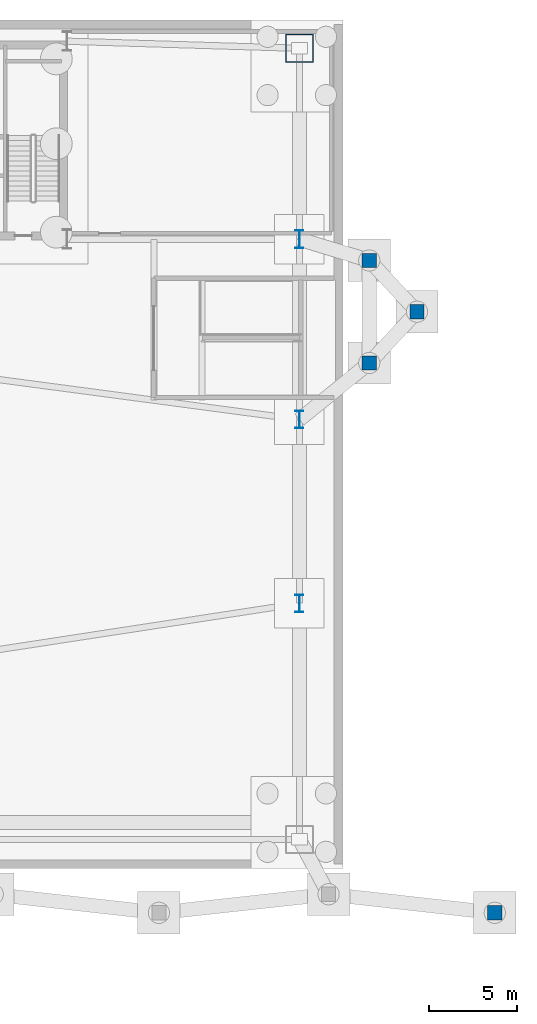
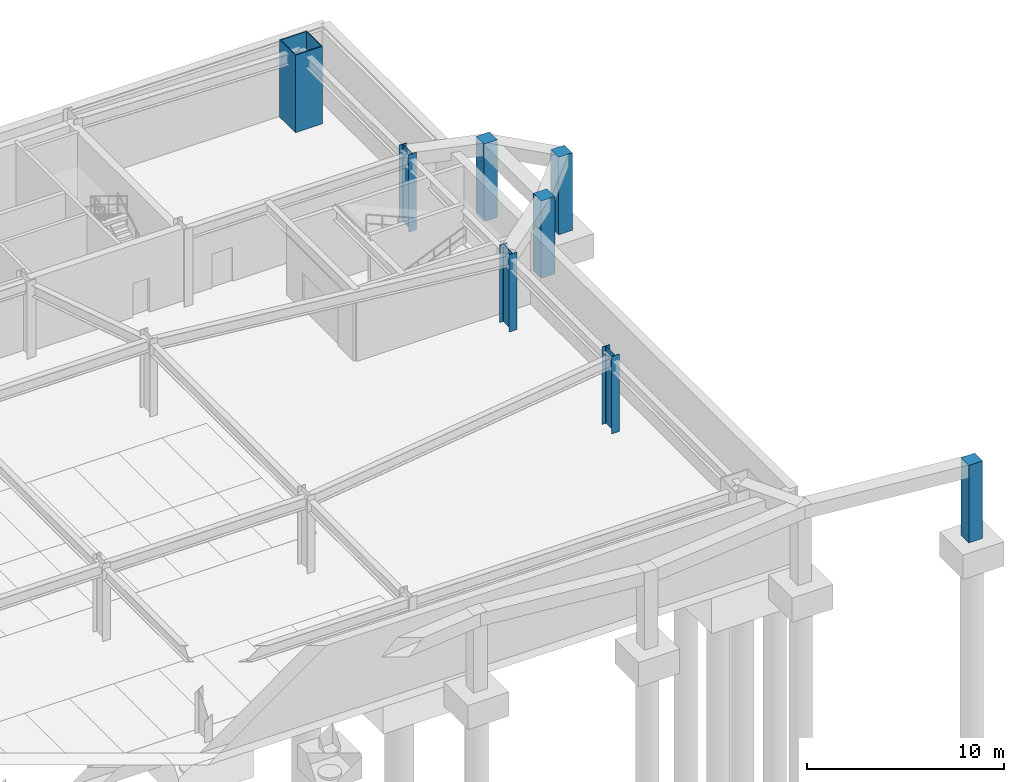
# One storey, part 4 of 12: 8 columns.
"""IFC4 building model written with IfcOpenShell, lengths in metres."""

from ifc_helpers import new_model, si_unit, direction, frame, origin, origin_2d, place, context, subcontext, project, spatial, rectangle, hollow_rectangle, i_section, extrude, source, transform, mapped, material, material_profile, profile_set, type_object, type_shapes, element, save


model = new_model("IFC4")

# Units and contexts
model_context = context("Model", 3, precision=1e-05, world=origin(), true_north=direction((0.0, 1.0)))
body_context = subcontext(model_context, "Body", "Model", "MODEL_VIEW")
ifc_project = project(units=[si_unit("LENGTHUNIT", "METRE"), si_unit("AREAUNIT", "SQUARE_METRE"), si_unit("VOLUMEUNIT", "CUBIC_METRE"), si_unit("PLANEANGLEUNIT", "RADIAN"), si_unit("MASSUNIT", "GRAM", prefix="KILO")], contexts=[model_context])

# Site, building, storey
site_placement = place(None, origin())
site = spatial("IfcSite", under=ifc_project, at=site_placement, CompositionType="ELEMENT")
building_placement = place(site_placement, origin())
building = spatial("IfcBuilding", under=site, at=building_placement, Name="Varnel Quay Broadcast Tower", CompositionType="ELEMENT")
storey_placement = place(building_placement, frame((0.0, 0.0, -9.60009765625)))
storey = spatial("IfcBuildingStorey", under=building, at=storey_placement, Name="B2", CompositionType="ELEMENT", Elevation=-9.60009765625)

# Columns
ifc_material_1 = material(Name="Concrete CSA A23.3 C50/60", Category="concrete")
ifc_material_profile_1 = material_profile(ifc_material_1, rectangle(XDim=0.800048828125, YDim=0.800048828125, at=origin_2d()), Name="RC800X800")
ifc_profile_set_1 = profile_set([ifc_material_profile_1], Name="Concrete CSA A23.3 C50/60")
column_type_1 = type_object("IfcColumnType", Name="Col_RC800X800", PredefinedType="COLUMN", material=ifc_profile_set_1)
shared_shape_1 = source(origin(), body_context, "Body", "SweptSolid", [
    extrude(rectangle(XDim=0.800048828125, YDim=0.800048828125, at=origin_2d()), origin(), (0.0, 0.0, 1.0), 4.800048828125),
])
type_shapes(column_type_1, [shared_shape_1])
for number, where, z_axis, x_axis, name in (
    (1, (76.60009765625, -2.5, 0.0), (0.0, 0.0, 1.0), (1.0, 0.0, 0.0), "B2 Exterior Pier Column PRM10"),
    (2, (69.5, 28.60009765625, 0.0), (0.0, 0.0, 1.0), (1.0, 0.0, 0.0), "B2 Exterior Pier Column EAPR1"),
    (3, (69.5, 34.39990234375, 0.0), (0.0, 0.0, 1.0), (1.0, 0.0, 0.0), "B2 Exterior Pier Column EAPR2"),
    (4, (72.199951171875, 31.5, 0.0), (0.0, 0.0, 1.0), (1.0, 0.0, 0.0), "B2 Exterior Pier Column EAPR3"),
):
    element("IfcColumn", number, at=place(storey_placement, frame(where, z_axis=z_axis, x_axis=x_axis)), inside=storey, type_object=column_type_1, Name=name, PredefinedType="COLUMN", context=body_context, shape_type="MappedRepresentation", body=[
        mapped(shared_shape_1, transform((0.0, 0.0, 0.0), x_axis=(1.0, 0.0, 0.0), y_axis=(0.0, 1.0, 0.0), z_axis=(0.0, 0.0, 1.0), scale=1.0)),
    ])
ifc_material_2 = material(Name="Structural Steel CSA G40.21 350WT", Category="steel")
ifc_material_profile_2 = material_profile(ifc_material_2, hollow_rectangle(XDim=1.60009765625, YDim=1.60009765625, WallThickness=0.06005859375, at=origin_2d()), Name="BOX1600X1600X60")
ifc_profile_set_2 = profile_set([ifc_material_profile_2], Name="Structural Steel CSA G40.21 350WT")
column_type_2 = type_object("IfcColumnType", Name="Col_BOX1600X1600X60", PredefinedType="COLUMN", material=ifc_profile_set_2)
shared_shape_2 = source(origin(), body_context, "Body", "SweptSolid", [
    extrude(hollow_rectangle(XDim=1.60009765625, YDim=1.60009765625, WallThickness=0.06005859375, at=origin_2d()), origin(), (0.0, 0.0, 1.0), 4.800048828125),
])
type_shapes(column_type_2, [shared_shape_2])
column_placement = place(storey_placement, frame((65.550048828125, 46.39990234375, 0.0), z_axis=(0.0, 0.0, 1.0), x_axis=(1.0, 0.0, 0.0)))
element("IfcColumn", 5, at=column_placement, inside=storey, type_object=column_type_2, Name="B2 Column MC-NE", PredefinedType="COLUMN", context=body_context, shape_type="MappedRepresentation", body=[
    mapped(shared_shape_2, transform((0.0, 0.0, 0.0), x_axis=(1.0, 0.0, 0.0), y_axis=(0.0, 1.0, 0.0), z_axis=(0.0, 0.0, 1.0), scale=1.0)),
])
ifc_material_profile_3 = material_profile(ifc_material_2, i_section(OverallWidth=0.449951171875, OverallDepth=1.0, WebThickness=0.01611328125, FlangeThickness=0.030029296875, FilletRadius=0.01611328125, at=origin_2d()), Name="WWF1000X362")
ifc_profile_set_3 = profile_set([ifc_material_profile_3], Name="Structural Steel CSA G40.21 350WT")
column_type_3 = type_object("IfcColumnType", Name="Col_WWF1000X362", PredefinedType="COLUMN", material=ifc_profile_set_3)
shared_shape_3 = source(origin(), body_context, "Body", "SweptSolid", [
    extrude(i_section(OverallWidth=0.449951171875, OverallDepth=1.0, WebThickness=0.01611328125, FlangeThickness=0.030029296875, FilletRadius=0.01611328125, at=origin_2d()), origin(), (0.0, 0.0, 1.0), 4.800048828125),
])
type_shapes(column_type_3, [shared_shape_3])
for number, where, z_axis, x_axis, name in (
    (6, (65.550048828125, 15.0, 0.0), (0.0, 0.0, 1.0), (1.0, 0.0, 0.0), "B2 Column PC-12"),
    (7, (65.550048828125, 25.39990234375, 0.0), (0.0, 0.0, 1.0), (1.0, 0.0, 0.0), "B2 Column PC-13"),
    (8, (65.550048828125, 35.60009765625, 0.0), (0.0, 0.0, 1.0), (1.0, 0.0, 0.0), "B2 Column PC-14"),
):
    element("IfcColumn", number, at=place(storey_placement, frame(where, z_axis=z_axis, x_axis=x_axis)), inside=storey, type_object=column_type_3, Name=name, PredefinedType="COLUMN", context=body_context, shape_type="MappedRepresentation", body=[
        mapped(shared_shape_3, transform((0.0, 0.0, 0.0), x_axis=(1.0, 0.0, 0.0), y_axis=(0.0, 1.0, 0.0), z_axis=(0.0, 0.0, 1.0), scale=1.0)),
    ])

save(model, "model.ifc")
